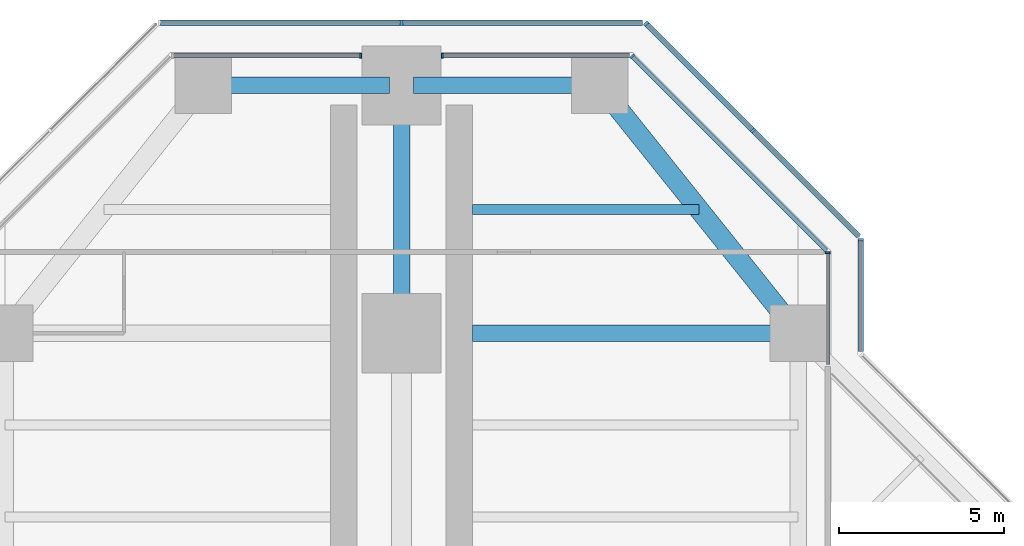
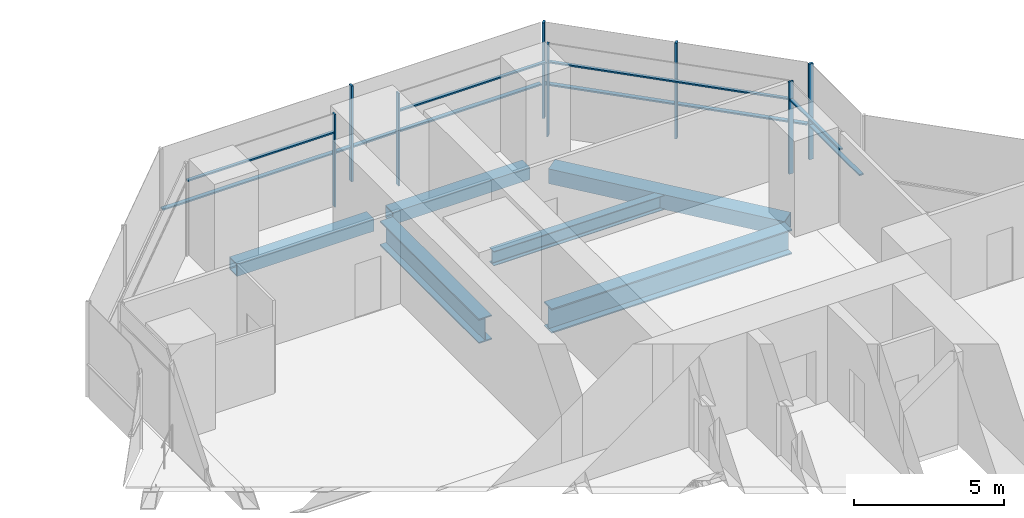
# One storey, part 10 of 19: 17 members, 6 beams, 7 elements without a shape of their own.
"""IFC4 building model written with IfcOpenShell, lengths in metres."""

from ifc_helpers import new_model, si_unit, direction, frame, origin, origin_2d, place, context, subcontext, project, spatial, rectangle, hollow_rectangle, i_section, extrude, material, material_profile, profile_set, type_object, element, aggregate, save


model = new_model("IFC4")

# Units and contexts
model_context = context("Model", 3, precision=1e-05, world=origin(), true_north=direction((0.0, 1.0)))
body_context = subcontext(model_context, "Body", "Model", "MODEL_VIEW")
ifc_project = project(units=[si_unit("LENGTHUNIT", "METRE"), si_unit("AREAUNIT", "SQUARE_METRE"), si_unit("VOLUMEUNIT", "CUBIC_METRE"), si_unit("PLANEANGLEUNIT", "RADIAN"), si_unit("MASSUNIT", "GRAM", prefix="KILO")], contexts=[model_context])

# Site, building, storey
site_placement = place(None, origin())
site = spatial("IfcSite", under=ifc_project, at=site_placement, CompositionType="ELEMENT")
building_placement = place(site_placement, origin())
building = spatial("IfcBuilding", under=site, at=building_placement, Name="Mizan Broadcast Tower", CompositionType="ELEMENT")
storey_placement = place(building_placement, frame((0.0, 0.0, 182.699951171875)))
storey = spatial("IfcBuildingStorey", under=building, at=storey_placement, Name="L42", CompositionType="ELEMENT", Elevation=182.699951171875)

# Beams
ifc_material_1 = material(Name="Steel S355", Category="steel")
ifc_material_profile_1 = material_profile(ifc_material_1, hollow_rectangle(XDim=0.5, YDim=0.5, WallThickness=0.030029296875, at=origin_2d()), Name="BOX 500x500x30")
ifc_profile_set_1 = profile_set([ifc_material_profile_1], Name="Steel S355")
beam_type_1 = type_object("IfcBeamType", Name="EDGE BEAM BOX 500x500x30", PredefinedType="SPANDREL", material=ifc_profile_set_1)
for number, where, z_axis, x_axis, name in (
    (1, (5.639892578125, 27.0, -0.3798828125), (-1.0, 0.0, 0.0), (0.0, -1.0, 0.0), "Edge beam BOX 500x500x30 L42 north arm"),
    (2, (-5.639892578125, 27.0, -0.3798828125), (1.0, 0.0, 0.0), (0.0, 1.0, 0.0), "Edge beam BOX 500x500x30 L42 north arm"),
):
    element("IfcBeam", number, at=place(storey_placement, frame(where, z_axis=z_axis, x_axis=x_axis)), inside=storey, type_object=beam_type_1, Name=name, PredefinedType="SPANDREL", context=body_context, shape_type="SweptSolid", body=[
        extrude(hollow_rectangle(XDim=0.5, YDim=0.5, WallThickness=0.030029296875, at=origin_2d()), origin(), (0.0, 0.0, 1.0), 5.27978515625),
    ])
ifc_material_2 = material(Name="Steel S355", Category="steel")
ifc_material_profile_2 = material_profile(ifc_material_2, hollow_rectangle(XDim=0.60009765625, YDim=0.60009765625, WallThickness=0.030029296875, at=origin_2d()), Name="BOX 600x600x30")
ifc_profile_set_2 = profile_set([ifc_material_profile_2], Name="Steel S355")
beam_type_2 = type_object("IfcBeamType", Name="EDGE BEAM BOX 600x600x30", PredefinedType="SPANDREL", material=ifc_profile_set_2)
beam_1_placement = place(storey_placement, frame((11.639892578125, 19.949951171875, -0.429931640625), z_axis=(-0.624673911726, 0.780885717636, 0.0), x_axis=(-0.780885717636, -0.624673911726, 0.0)))
element("IfcBeam", 3, at=beam_1_placement, inside=storey, type_object=beam_type_2, Name="Edge beam BOX 600x600x30 L42 north arm", PredefinedType="SPANDREL", context=body_context, shape_type="SweptSolid", body=[
    extrude(hollow_rectangle(XDim=0.60009765625, YDim=0.60009765625, WallThickness=0.030029296875, at=origin_2d()), origin(), (0.0, 0.0, 1.0), 8.4521484375),
])
ifc_material_3 = material(Name="Steel S460", Category="steel")
ifc_material_profile_3 = material_profile(ifc_material_3, i_section(OverallWidth=0.5, OverallDepth=1.0, WebThickness=0.02490234375, FlangeThickness=0.050048828125, at=origin_2d()), Name="WPG 1000x500")
ifc_profile_set_3 = profile_set([ifc_material_profile_3], Name="Steel S460")
beam_type_3 = type_object("IfcBeamType", Name="GIRDER WPG 1000x500", PredefinedType="BEAM", material=ifc_profile_set_3)
beam_2_placement = place(storey_placement, frame((0.0, 19.949951171875, -0.6298828125), z_axis=(0.0, 1.0, 0.0), x_axis=(-1.0, 0.0, 0.0)))
element("IfcBeam", 4, at=beam_2_placement, inside=storey, type_object=beam_type_3, Name="Girder WPG 1000x500 L42 north arm", PredefinedType="BEAM", context=body_context, shape_type="SweptSolid", body=[
    extrude(i_section(OverallWidth=0.5, OverallDepth=1.0, WebThickness=0.02490234375, FlangeThickness=0.050048828125, at=origin_2d()), origin(), (0.0, 0.0, 1.0), 6.60009765625),
])
beam_3_placement = place(storey_placement, frame((11.408935546875, 19.5, -0.6298828125), z_axis=(-1.0, 0.0, 0.0), x_axis=(0.0, -1.0, 0.0)))
element("IfcBeam", 5, at=beam_3_placement, inside=storey, type_object=beam_type_3, Name="Girder WPG 1000x500 L42 north arm", PredefinedType="BEAM", context=body_context, shape_type="SweptSolid", body=[
    extrude(i_section(OverallWidth=0.5, OverallDepth=1.0, WebThickness=0.02490234375, FlangeThickness=0.050048828125, at=origin_2d()), origin(), (0.0, 0.0, 1.0), 9.259033203125),
])

# Curtain wall, member
ifc_material_4 = material(Name="Aluminium framed glazing", Category="aluminium")
curtain_wall_type_1 = type_object("IfcCurtainWallType", Name="INNER SKIN MID ZONE", PredefinedType="USERDEFINED", material=ifc_material_4)
curtain_wall_1_placement = place(storey_placement, origin())
curtain_wall_1 = element("IfcCurtainWall", 6, at=curtain_wall_1_placement, inside=storey, type_object=curtain_wall_type_1, Name="Inner skin mid zone L42 N side", ObjectType="INNER SKIN MID ZONE", PredefinedType="USERDEFINED")
ifc_material_5 = material(Name="Aluminium, pale anodised", Category="aluminium")
ifc_material_profile_4 = material_profile(ifc_material_5, rectangle(XDim=0.159912109375, YDim=0.06005859375, at=origin_2d()), Name="MULLION 160x60")
ifc_profile_set_4 = profile_set([ifc_material_profile_4], Name="Aluminium, pale anodised")
member_type_1 = type_object("IfcMemberType", Name="INNER SKIN MULLION 60x160", PredefinedType="MULLION", material=ifc_profile_set_4)
member_1_placement = place(storey_placement, frame((12.89990234375, 21.928466796875, 0.0), z_axis=(0.0, 0.0, 1.0), x_axis=(-1.0, 0.0, 0.0)))
member_1 = element("IfcMember", 7, at=member_1_placement, type_object=member_type_1, Name="Inner skin mid zone L42 N side mullion 2", PredefinedType="MULLION", context=body_context, shape_type="SweptSolid", body=[
    extrude(rectangle(XDim=0.159912109375, YDim=0.06005859375, at=origin_2d()), origin(), (0.0, 0.0, 1.0), 3.77001953125),
])

curtain_wall_2_placement = place(storey_placement, origin())
curtain_wall_2 = element("IfcCurtainWall", 8, at=curtain_wall_2_placement, inside=storey, type_object=curtain_wall_type_1, Name="Inner skin mid zone L42 N chamfer", ObjectType="INNER SKIN MID ZONE", PredefinedType="USERDEFINED")
member_2_placement = place(storey_placement, frame((6.979736328125, 27.87890625, 0.0), z_axis=(0.0, 0.0, 1.0), x_axis=(-0.707106781187, -0.707106781187, 0.0)))
member_2 = element("IfcMember", 9, at=member_2_placement, type_object=member_type_1, Name="Inner skin mid zone L42 N chamfer mullion 2", PredefinedType="MULLION", context=body_context, shape_type="SweptSolid", body=[
    extrude(rectangle(XDim=0.159912109375, YDim=0.06005859375, at=origin_2d()), origin(), (0.0, 0.0, 1.0), 3.77001953125),
])

curtain_wall_3_placement = place(storey_placement, origin())
curtain_wall_3 = element("IfcCurtainWall", 10, at=curtain_wall_3_placement, inside=storey, type_object=curtain_wall_type_1, Name="Inner skin mid zone L42 N end", ObjectType="INNER SKIN MID ZONE", PredefinedType="USERDEFINED")
member_3_placement = place(storey_placement, frame((1.22998046875, 27.89990234375, 0.0), z_axis=(0.0, 0.0, 1.0), x_axis=(0.0, -1.0, 0.0)))
member_3 = element("IfcMember", 11, at=member_3_placement, type_object=member_type_1, Name="Inner skin mid zone L42 N end mullion 2", PredefinedType="MULLION", context=body_context, shape_type="SweptSolid", body=[
    extrude(rectangle(XDim=0.159912109375, YDim=0.06005859375, at=origin_2d()), origin(), (0.0, 0.0, 1.0), 3.77001953125),
])

curtain_wall_4_placement = place(storey_placement, origin())
curtain_wall_4 = element("IfcCurtainWall", 12, at=curtain_wall_4_placement, inside=storey, type_object=curtain_wall_type_1, Name="Inner skin mid zone L42 N end", ObjectType="INNER SKIN MID ZONE", PredefinedType="USERDEFINED")
member_4_placement = place(storey_placement, frame((-1.22998046875, 27.89990234375, 0.0), z_axis=(0.0, 0.0, 1.0), x_axis=(0.0, -1.0, 0.0)))
member_4 = element("IfcMember", 13, at=member_4_placement, type_object=member_type_1, Name="Inner skin mid zone L42 N end mullion 1", PredefinedType="MULLION", context=body_context, shape_type="SweptSolid", body=[
    extrude(rectangle(XDim=0.159912109375, YDim=0.06005859375, at=origin_2d()), origin(), (0.0, 0.0, 1.0), 3.77001953125),
])

# Member
ifc_material_6 = material(Name="Aluminium, pale anodised", Category="aluminium")
ifc_material_profile_5 = material_profile(ifc_material_6, rectangle(XDim=0.1201171875, YDim=0.06005859375, at=origin_2d()), Name="TRANSOM 120x60")
ifc_profile_set_5 = profile_set([ifc_material_profile_5], Name="Aluminium, pale anodised")
member_type_2 = type_object("IfcMemberType", Name="INNER SKIN TRANSOM 60x120", PredefinedType="USERDEFINED", material=ifc_profile_set_5)
member_5_placement = place(storey_placement, frame((12.89990234375, 18.56005859375, 3.030029296875), z_axis=(0.0, 1.0, 0.0), x_axis=(-1.0, 0.0, 0.0)))
member_5 = element("IfcMember", 14, at=member_5_placement, type_object=member_type_2, Name="Inner skin mid zone L42 N side transom 1.1", ObjectType="TRANSOM", PredefinedType="USERDEFINED", context=body_context, shape_type="SweptSolid", body=[
    extrude(rectangle(XDim=0.1201171875, YDim=0.06005859375, at=origin_2d()), origin(), (0.0, 0.0, 1.0), 3.338623046875),
])

aggregate(curtain_wall_1, [member_1, member_5])

member_6_placement = place(storey_placement, frame((12.857666015625, 22.0009765625, 3.030029296875), z_axis=(-0.707106781187, 0.707106781187, 0.0), x_axis=(-0.707106781187, -0.707106781187, 0.0)))
member_6 = element("IfcMember", 15, at=member_6_placement, type_object=member_type_2, Name="Inner skin mid zone L42 N chamfer transom 1.1", ObjectType="TRANSOM", PredefinedType="USERDEFINED", context=body_context, shape_type="SweptSolid", body=[
    extrude(rectangle(XDim=0.1201171875, YDim=0.06005859375, at=origin_2d()), origin(), (0.0, 0.0, 1.0), 8.28271484375),
])

aggregate(curtain_wall_2, [member_2, member_6])

member_7_placement = place(storey_placement, frame((6.898681640625, 27.89990234375, 3.030029296875), z_axis=(-1.0, 0.0, 0.0), x_axis=(0.0, -1.0, 0.0)))
member_7 = element("IfcMember", 16, at=member_7_placement, type_object=member_type_2, Name="Inner skin mid zone L42 N end transom 1.1", ObjectType="TRANSOM", PredefinedType="USERDEFINED", context=body_context, shape_type="SweptSolid", body=[
    extrude(rectangle(XDim=0.1201171875, YDim=0.06005859375, at=origin_2d()), origin(), (0.0, 0.0, 1.0), 5.638671875),
])

aggregate(curtain_wall_3, [member_3, member_7])

member_8_placement = place(storey_placement, frame((-1.260009765625, 27.89990234375, 3.030029296875), z_axis=(-1.0, 0.0, 0.0), x_axis=(0.0, -1.0, 0.0)))
member_8 = element("IfcMember", 17, at=member_8_placement, type_object=member_type_2, Name="Inner skin mid zone L42 N end transom 1.1", ObjectType="TRANSOM", PredefinedType="USERDEFINED", context=body_context, shape_type="SweptSolid", body=[
    extrude(rectangle(XDim=0.1201171875, YDim=0.06005859375, at=origin_2d()), origin(), (0.0, 0.0, 1.0), 5.638671875),
])

aggregate(curtain_wall_4, [member_4, member_8])

# Curtain wall, member
ifc_material_7 = material(Name="Aluminium framed glazing", Category="aluminium")
curtain_wall_type_2 = type_object("IfcCurtainWallType", Name="OUTER SKIN", PredefinedType="USERDEFINED", material=ifc_material_7)
curtain_wall_5_placement = place(storey_placement, origin())
curtain_wall_5 = element("IfcCurtainWall", 18, at=curtain_wall_5_placement, inside=storey, type_object=curtain_wall_type_2, Name="Outer skin L42 N side", ObjectType="OUTER SKIN", PredefinedType="USERDEFINED")
ifc_material_8 = material(Name="Aluminium, pale anodised", Category="aluminium")
ifc_material_profile_6 = material_profile(ifc_material_8, rectangle(XDim=0.159912109375, YDim=0.080078125, at=origin_2d()), Name="MULLION 160x80")
ifc_profile_set_6 = profile_set([ifc_material_profile_6], Name="Aluminium, pale anodised")
member_type_3 = type_object("IfcMemberType", Name="OUTER SKIN MULLION 80x160", PredefinedType="MULLION", material=ifc_profile_set_6)
member_9_placement = place(storey_placement, frame((13.89990234375, 22.332763671875, 0.0), z_axis=(0.0, 0.0, 1.0), x_axis=(-1.0, 0.0, 0.0)))
member_9 = element("IfcMember", 19, at=member_9_placement, type_object=member_type_3, Name="Outer skin L42 N side mullion 2", PredefinedType="MULLION", context=body_context, shape_type="SweptSolid", body=[
    extrude(rectangle(XDim=0.159912109375, YDim=0.080078125, at=origin_2d()), origin(), (0.0, 0.0, 1.0), 3.900146484375),
])

# Curtain wall, members
curtain_wall_6_placement = place(storey_placement, origin())
curtain_wall_6 = element("IfcCurtainWall", 20, at=curtain_wall_6_placement, inside=storey, type_object=curtain_wall_type_2, Name="Outer skin L42 N chamfer", ObjectType="OUTER SKIN", PredefinedType="USERDEFINED")
member_10_placement = place(storey_placement, frame((10.636474609375, 25.636474609375, 0.0), z_axis=(0.0, 0.0, 1.0), x_axis=(-0.707106781187, -0.707106781187, 0.0)))
member_10 = element("IfcMember", 21, at=member_10_placement, type_object=member_type_3, Name="Outer skin L42 N chamfer mullion 2", PredefinedType="MULLION", context=body_context, shape_type="SweptSolid", body=[
    extrude(rectangle(XDim=0.159912109375, YDim=0.080078125, at=origin_2d()), origin(), (0.0, 0.0, 1.0), 3.900146484375),
])
member_11_placement = place(storey_placement, frame((7.401123046875, 28.871826171875, 0.0), z_axis=(0.0, 0.0, 1.0), x_axis=(-0.707106781187, -0.707106781187, 0.0)))
member_11 = element("IfcMember", 22, at=member_11_placement, type_object=member_type_3, Name="Outer skin L42 N chamfer mullion 3", PredefinedType="MULLION", context=body_context, shape_type="SweptSolid", body=[
    extrude(rectangle(XDim=0.159912109375, YDim=0.080078125, at=origin_2d()), origin(), (0.0, 0.0, 1.0), 3.900146484375),
])

# Curtain wall, member
curtain_wall_7_placement = place(storey_placement, origin())
curtain_wall_7 = element("IfcCurtainWall", 23, at=curtain_wall_7_placement, inside=storey, type_object=curtain_wall_type_2, Name="Outer skin L42 N end", ObjectType="OUTER SKIN", PredefinedType="USERDEFINED")
member_12_placement = place(storey_placement, frame((0.0, 28.89990234375, 0.0), z_axis=(0.0, 0.0, 1.0), x_axis=(0.0, -1.0, 0.0)))
member_12 = element("IfcMember", 24, at=member_12_placement, type_object=member_type_3, Name="Outer skin L42 N end mullion 2", PredefinedType="MULLION", context=body_context, shape_type="SweptSolid", body=[
    extrude(rectangle(XDim=0.159912109375, YDim=0.080078125, at=origin_2d()), origin(), (0.0, 0.0, 1.0), 3.900146484375),
])

# Member
ifc_material_9 = material(Name="Aluminium, pale anodised", Category="aluminium")
ifc_material_profile_7 = material_profile(ifc_material_9, rectangle(XDim=0.159912109375, YDim=0.06005859375, at=origin_2d()), Name="TRANSOM 160x60")
ifc_profile_set_7 = profile_set([ifc_material_profile_7], Name="Aluminium, pale anodised")
member_type_4 = type_object("IfcMemberType", Name="OUTER SKIN TRANSOM 60x160", PredefinedType="USERDEFINED", material=ifc_profile_set_7)
member_13_placement = place(storey_placement, frame((13.89990234375, 18.952880859375, 1.400146484375), z_axis=(0.0, 1.0, 0.0), x_axis=(-1.0, 0.0, 0.0)))
member_13 = element("IfcMember", 25, at=member_13_placement, type_object=member_type_4, Name="Outer skin L42 N side transom 1.1", ObjectType="TRANSOM", PredefinedType="USERDEFINED", context=body_context, shape_type="SweptSolid", body=[
    extrude(rectangle(XDim=0.159912109375, YDim=0.06005859375, at=origin_2d()), origin(), (0.0, 0.0, 1.0), 3.33984375),
])

aggregate(curtain_wall_5, [member_9, member_13])

member_14_placement = place(storey_placement, frame((13.843505859375, 22.429443359375, 1.400146484375), z_axis=(-0.707106781187, 0.707106781187, 0.0), x_axis=(-0.707106781187, -0.707106781187, 0.0)))
member_14 = element("IfcMember", 26, at=member_14_placement, type_object=member_type_4, Name="Outer skin L42 N chamfer transom 1.1", ObjectType="TRANSOM", PredefinedType="USERDEFINED", context=body_context, shape_type="SweptSolid", body=[
    extrude(rectangle(XDim=0.159912109375, YDim=0.06005859375, at=origin_2d()), origin(), (0.0, 0.0, 1.0), 4.495361328125),
])

member_15_placement = place(storey_placement, frame((10.608154296875, 25.664794921875, 1.400146484375), z_axis=(-0.707106781187, 0.707106781187, 0.0), x_axis=(-0.707106781187, -0.707106781187, 0.0)))
member_15 = element("IfcMember", 27, at=member_15_placement, type_object=member_type_4, Name="Outer skin L42 N chamfer transom 2.1", ObjectType="TRANSOM", PredefinedType="USERDEFINED", context=body_context, shape_type="SweptSolid", body=[
    extrude(rectangle(XDim=0.159912109375, YDim=0.06005859375, at=origin_2d()), origin(), (0.0, 0.0, 1.0), 4.495361328125),
])

aggregate(curtain_wall_6, [member_10, member_11, member_14, member_15])

member_16_placement = place(storey_placement, frame((7.292724609375, 28.89990234375, 1.400146484375), z_axis=(-1.0, 0.0, 0.0), x_axis=(0.0, -1.0, 0.0)))
member_16 = element("IfcMember", 28, at=member_16_placement, type_object=member_type_4, Name="Outer skin L42 N end transom 1.1", ObjectType="TRANSOM", PredefinedType="USERDEFINED", context=body_context, shape_type="SweptSolid", body=[
    extrude(rectangle(XDim=0.159912109375, YDim=0.06005859375, at=origin_2d()), origin(), (0.0, 0.0, 1.0), 7.252685546875),
])

member_17_placement = place(storey_placement, frame((-0.0400390625, 28.89990234375, 1.400146484375), z_axis=(-1.0, 0.0, 0.0), x_axis=(0.0, -1.0, 0.0)))
member_17 = element("IfcMember", 29, at=member_17_placement, type_object=member_type_4, Name="Outer skin L42 N end transom 2.1", ObjectType="TRANSOM", PredefinedType="USERDEFINED", context=body_context, shape_type="SweptSolid", body=[
    extrude(rectangle(XDim=0.159912109375, YDim=0.06005859375, at=origin_2d()), origin(), (0.0, 0.0, 1.0), 7.252685546875),
])

aggregate(curtain_wall_7, [member_12, member_16, member_17])

# Beam
ifc_material_10 = material(Name="Steel S355", Category="steel")
ifc_material_profile_8 = material_profile(ifc_material_10, i_section(OverallWidth=0.300048828125, OverallDepth=0.590087890625, WebThickness=0.012939453125, FlangeThickness=0.02490234375, FilletRadius=0.027099609375, at=origin_2d()), Name="HEA 600")
ifc_profile_set_8 = profile_set([ifc_material_profile_8], Name="Steel S355")
beam_type_4 = type_object("IfcBeamType", Name="SECONDARY BEAM HEA 600", PredefinedType="JOIST", material=ifc_profile_set_8)
beam_4_placement = place(storey_placement, frame((9.0, 23.25, -0.425048828125), z_axis=(-1.0, 0.0, 0.0), x_axis=(0.0, -1.0, 0.0)))
element("IfcBeam", 30, at=beam_4_placement, inside=storey, type_object=beam_type_4, Name="Secondary beam HEA 600 L42 north arm", PredefinedType="JOIST", context=body_context, shape_type="SweptSolid", body=[
    extrude(i_section(OverallWidth=0.300048828125, OverallDepth=0.590087890625, WebThickness=0.012939453125, FlangeThickness=0.02490234375, FilletRadius=0.027099609375, at=origin_2d()), origin(), (0.0, 0.0, 1.0), 6.85009765625),
])

save(model, "model.ifc")
